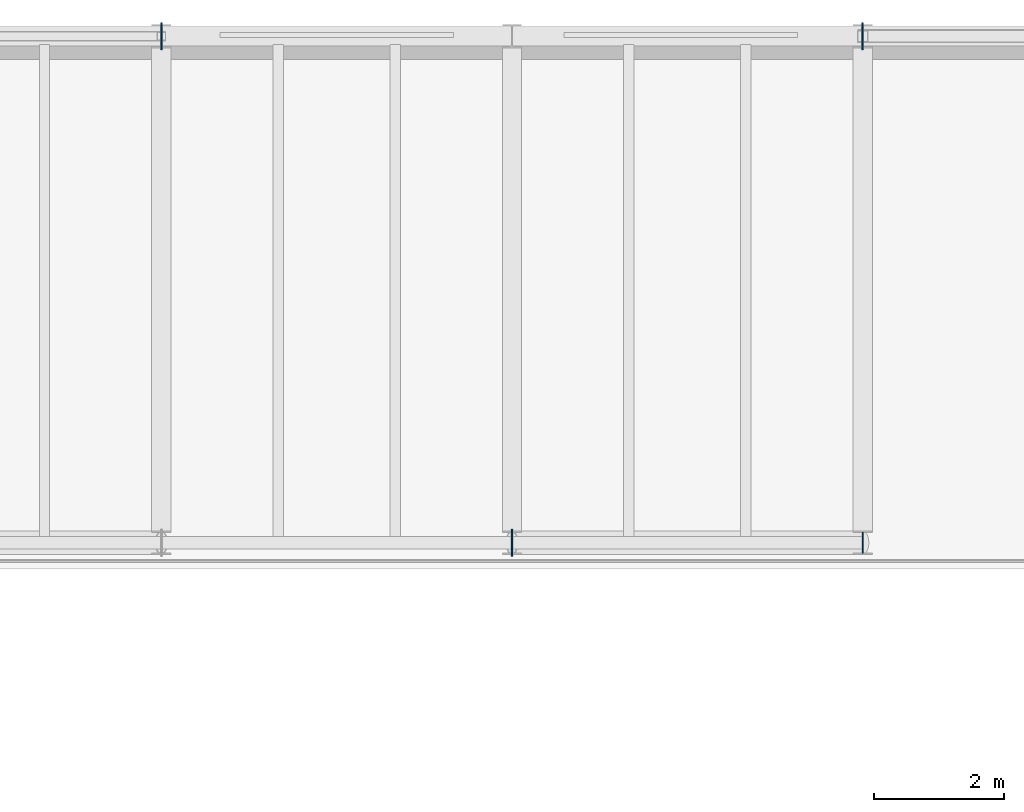
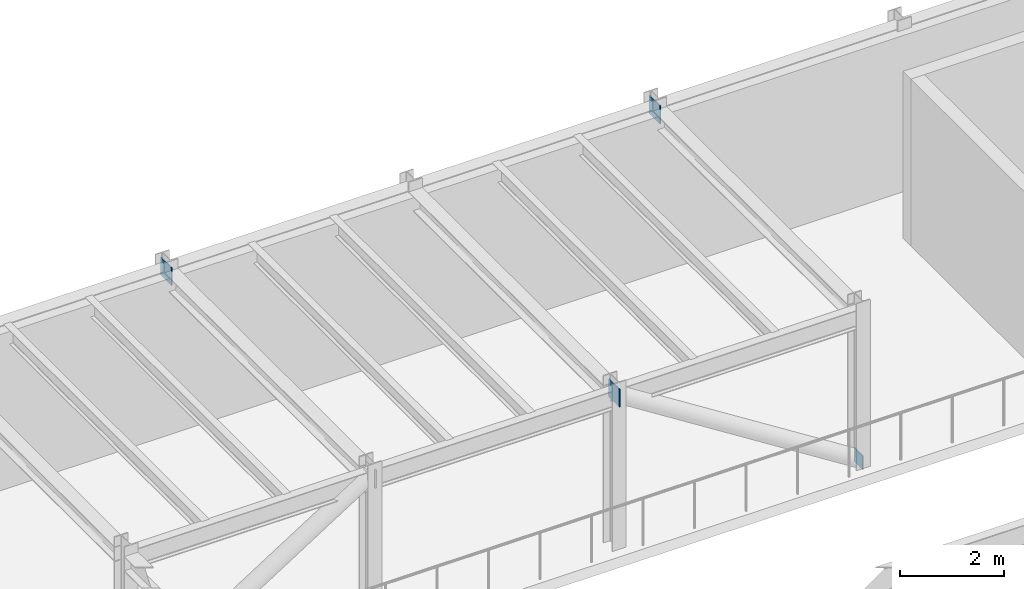
# One storey, part 5 of 12: 4 plates.
"""IFC4 building model written with IfcOpenShell, lengths in metres."""

from ifc_helpers import new_model, si_unit, direction, frame, origin, origin_2d, place, context, subcontext, project, spatial, rectangle, extrude, material, layer, layer_set, type_object, element, save


model = new_model("IFC4")

# Units and contexts
model_context = context("Model", 3, precision=1e-05, world=origin(), true_north=direction((0.0, 1.0)))
body_context = subcontext(model_context, "Body", "Model", "MODEL_VIEW")
ifc_project = project(units=[si_unit("LENGTHUNIT", "METRE"), si_unit("AREAUNIT", "SQUARE_METRE"), si_unit("VOLUMEUNIT", "CUBIC_METRE"), si_unit("PLANEANGLEUNIT", "RADIAN"), si_unit("MASSUNIT", "GRAM", prefix="KILO")], contexts=[model_context])

# Site, building, storey
site_placement = place(None, origin())
site = spatial("IfcSite", under=ifc_project, at=site_placement, CompositionType="ELEMENT")
building_placement = place(site_placement, origin())
building = spatial("IfcBuilding", under=site, at=building_placement, Name="Tazoul Stagehouse", CompositionType="ELEMENT")
storey_placement = place(building_placement, frame((0.0, 0.0, 17.10009765625)))
storey = spatial("IfcBuildingStorey", under=building, at=storey_placement, Name="L04", CompositionType="ELEMENT", Elevation=17.10009765625)

# Plates
ifc_material = material(Name="Steel S355", Category="steel")
ifc_layer_1 = layer(ifc_material, 0.02001953125, Name="Steel S355")
ifc_layer_set_1 = layer_set([ifc_layer_1], Name="Steel S355")
plate_type_1 = type_object("IfcPlateType", Name="Steel Brace End-Cap Plate 320x320x20", PredefinedType="USERDEFINED", material=ifc_layer_set_1)
plate_1_placement = place(storey_placement, frame((84.60009765625, 104.0, -0.0400390625), z_axis=(0.0, 0.0, 1.0), x_axis=(-1.0, 0.0, 0.0)))
element("IfcPlate", 1, at=plate_1_placement, inside=storey, type_object=plate_type_1, Name="L04 Gusset End-Cap Plate GP-01 (BR-FT-L04-IN2-1)", ObjectType="GUSSET PLATE", PredefinedType="USERDEFINED", context=body_context, shape_type="SweptSolid", body=[
    extrude(rectangle(XDim=0.02001953125, YDim=0.320068359375, at=origin_2d()), origin(), (0.0, 0.0, 1.0), 0.320068359375),
])
ifc_layer_2 = layer(ifc_material, 0.02392578125, Name="Steel S355")
ifc_layer_set_2 = layer_set([ifc_layer_2], Name="Steel S355")
plate_type_2 = type_object("IfcPlateType", Name="Steel Gusset Node Plate 420x420x24", PredefinedType="USERDEFINED", material=ifc_layer_set_2)
plate_2_placement = place(storey_placement, frame((79.199951171875, 104.0, 3.33984375), z_axis=(0.0, 0.0, 1.0), x_axis=(-1.0, 0.0, 0.0)))
element("IfcPlate", 2, at=plate_2_placement, inside=storey, type_object=plate_type_2, Name="L04 Gusset End-Cap Plate GP-02 (BR-FT-L04-IN2-2)", ObjectType="GUSSET PLATE", PredefinedType="USERDEFINED", context=body_context, shape_type="SweptSolid", body=[
    extrude(rectangle(XDim=0.02392578125, YDim=0.419921875, at=origin_2d()), origin(), (0.0, 0.0, 1.0), 0.419921875),
])
ifc_layer_3 = layer(ifc_material, 0.02392578125, Name="Steel S355")
ifc_layer_set_3 = layer_set([ifc_layer_3], Name="Steel S355")
plate_type_3 = type_object("IfcPlateType", Name="Steel Gusset Node Plate 420x420x24 (Exterior)", PredefinedType="USERDEFINED", material=ifc_layer_set_3)
for number, where, z_axis, x_axis, name in (
    (3, (73.800048828125, 111.800048828125, 3.33984375), (0.0, 0.0, 1.0), (1.0, 0.0, 0.0), "L04 Gusset End-Cap Plate GP-02E (BR-FT-L04-N1-2)"),
    (4, (84.60009765625, 111.800048828125, 3.33984375), (0.0, 0.0, 1.0), (-1.0, 0.0, 0.0), "L04 Gusset End-Cap Plate GP-02E (BR-FT-L04-N2-2)"),
):
    element("IfcPlate", number, at=place(storey_placement, frame(where, z_axis=z_axis, x_axis=x_axis)), inside=storey, type_object=plate_type_3, Name=name, ObjectType="GUSSET PLATE", PredefinedType="USERDEFINED", context=body_context, shape_type="SweptSolid", body=[
        extrude(rectangle(XDim=0.02392578125, YDim=0.419921875, at=origin_2d()), origin(), (0.0, 0.0, 1.0), 0.419921875),
    ])

save(model, "model.ifc")
